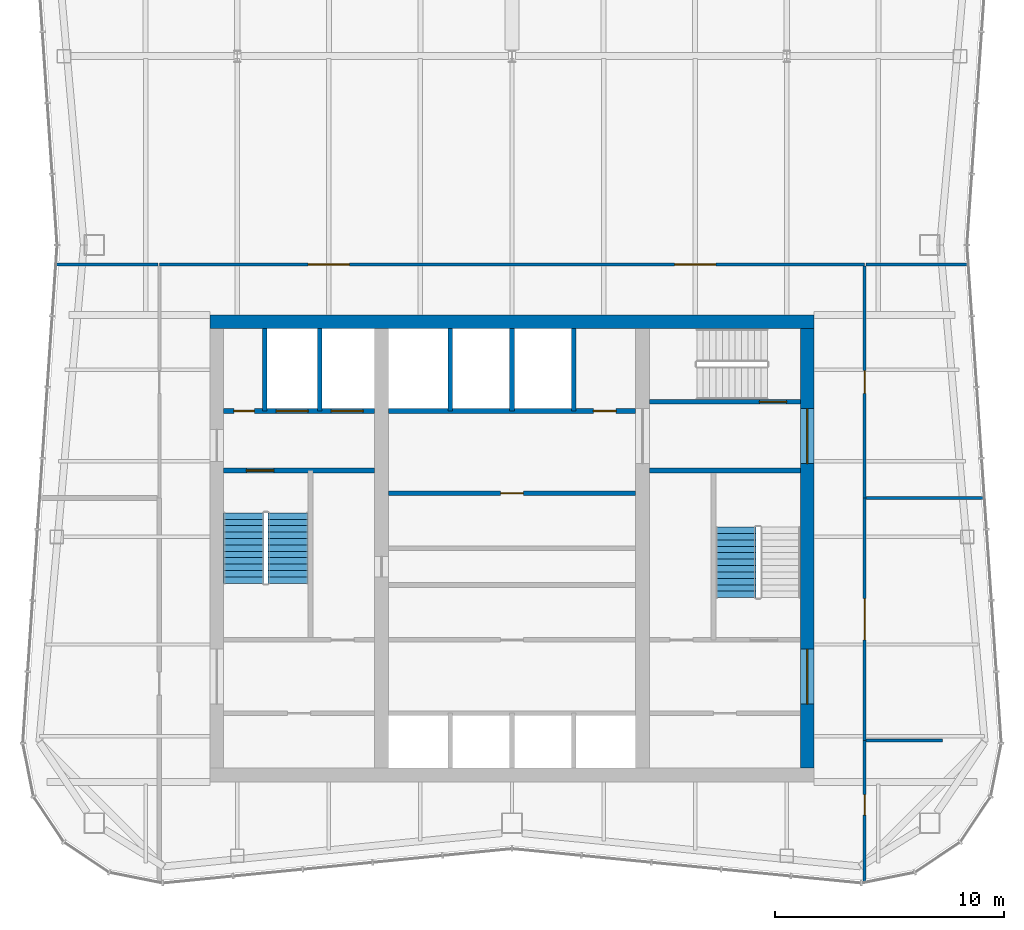
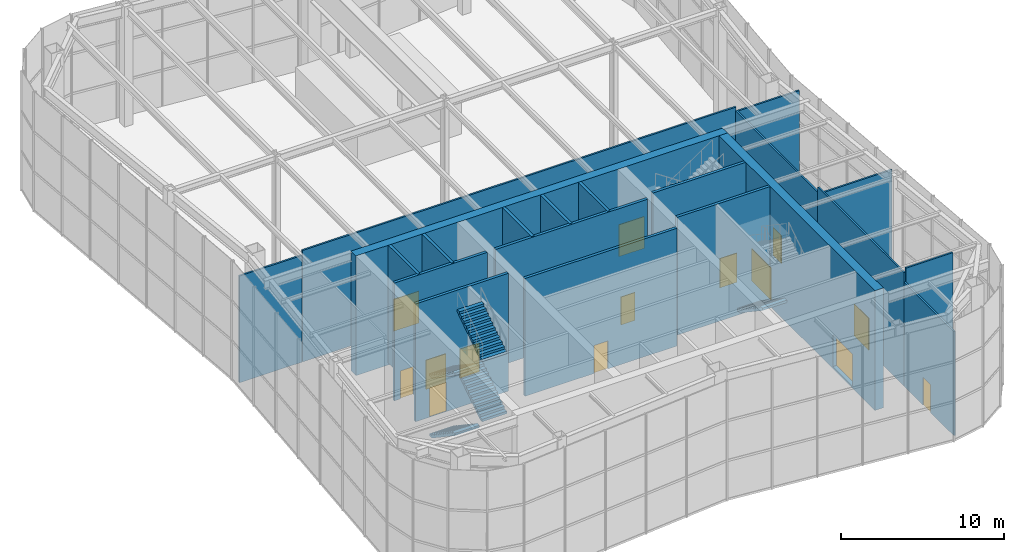
# One storey, part 12 of 16: 21 walls, 14 doors, 5 stair flights, 14 openings, 2 elements without a shape of their own.
"""IFC4 building model written with IfcOpenShell, lengths in metres."""

from ifc_helpers import new_model, si_unit, direction, frame, frame_2d, origin, place, context, subcontext, project, spatial, polyline, rectangle, outline, extrude, material, layer, layer_set, type_object, element, fill, aggregate, save


model = new_model("IFC4")

# Units and contexts
model_context = context("Model", 3, precision=1e-05, world=origin(), true_north=direction((0.0, 1.0)))
body_context = subcontext(model_context, "Body", "Model", "MODEL_VIEW")
ifc_project = project(units=[si_unit("LENGTHUNIT", "METRE"), si_unit("AREAUNIT", "SQUARE_METRE"), si_unit("VOLUMEUNIT", "CUBIC_METRE"), si_unit("PLANEANGLEUNIT", "RADIAN"), si_unit("MASSUNIT", "GRAM", prefix="KILO")], contexts=[model_context])

# Site, building, storey
site_placement = place(None, origin())
site = spatial("IfcSite", under=ifc_project, at=site_placement, CompositionType="ELEMENT")
building_placement = place(site_placement, origin())
building = spatial("IfcBuilding", under=site, at=building_placement, Name="Verdant Reach Tower", CompositionType="ELEMENT")
storey_placement = place(building_placement, frame((0.0, 0.0, 340.5)))
storey = spatial("IfcBuildingStorey", under=building, at=storey_placement, Name="L78 Damper", CompositionType="ELEMENT", Elevation=340.5)

# Wall, opening, door
ifc_material_1 = material(Name="Gypsum board on steel studs", Category="steel")
ifc_layer_1 = layer(ifc_material_1, 0.199951171875)
ifc_layer_set_1 = layer_set([ifc_layer_1], Name="CO-WALL-ROOM")
wall_type_1 = type_object("IfcWallType", Name="CO-WALL-ROOM", PredefinedType="PARTITIONING", material=ifc_layer_set_1)
wall_1_placement = place(storey_placement, frame((-5.39990234375, 30.39990234375, 0.0), z_axis=(0.0, 0.0, 1.0), x_axis=(1.0, 0.0, 0.0)))
wall_1 = element("IfcWall", 1, at=wall_1_placement, inside=storey, type_object=wall_type_1, Name="Core partition, L78 Damper", PredefinedType="PARTITIONING", context=body_context, shape_type="SweptSolid", body=[
    extrude(rectangle(XDim=10.7998046875, YDim=0.199951171875, at=frame_2d((5.39990234375, 0.0))), origin(), (0.0, 0.0, 1.0), 8.85009765625),
])
opening_1_placement = place(wall_1_placement, frame((4.89990234375, 0.0, 0.0)))
opening_1 = element("IfcOpeningElement", 2, at=opening_1_placement, cuts=wall_1, Name="Opening CD", PredefinedType="OPENING", context=body_context, shape_type="SweptSolid", body=[
    extrude(rectangle(XDim=1.0, YDim=2.10009765625, at=frame_2d((0.5, 1.050048828125))), frame((0.0, 0.10986328125, 0.0), z_axis=(0.0, -1.0, 0.0), x_axis=(1.0, 0.0, 0.0)), (0.0, 0.0, 1.0), 0.219970703125),
])
ifc_material_2 = material(Name="Timber", Category="wood")
door_type_1 = type_object("IfcDoorType", Name="CO-DOOR-ROOM", OperationType="NOTDEFINED", PredefinedType="DOOR", material=ifc_material_2)
door_1_placement = place(opening_1_placement, origin())
door_1 = element("IfcDoor", 3, at=door_1_placement, inside=storey, type_object=door_type_1, Name="Core room door, L78 Damper", OperationType="SINGLE_SWING_RIGHT", OverallHeight=2.10009765625, OverallWidth=1.0, PredefinedType="DOOR", context=body_context, shape_type="SweptSolid", body=[
    extrude(rectangle(XDim=1.0, YDim=2.10009765625, at=frame_2d((0.5, 1.050048828125))), frame((0.0, 0.02490234375, 0.0), z_axis=(0.0, -1.0, 0.0), x_axis=(1.0, 0.0, 0.0)), (0.0, 0.0, 1.0), 0.050048828125),
])
fill(opening_1, door_1)

# Wall, openings, doors
ifc_material_3 = material(Name="Concrete C40/50", Category="concrete")
ifc_layer_2 = layer(ifc_material_3, 0.199951171875)
ifc_layer_set_2 = layer_set([ifc_layer_2], Name="CO-WALL-SHAFT")
wall_type_2 = type_object("IfcWallType", Name="CO-WALL-SHAFT", PredefinedType="PARTITIONING", material=ifc_layer_set_2)
wall_2_placement = place(storey_placement, frame((-12.60009765625, 34.0, 0.0), z_axis=(0.0, 0.0, 1.0), x_axis=(1.0, 0.0, 0.0)))
wall_2 = element("IfcWall", 4, at=wall_2_placement, inside=storey, type_object=wall_type_2, Name="Lift shaft wall, L78 Damper", PredefinedType="PARTITIONING", context=body_context, shape_type="SweptSolid", body=[
    extrude(rectangle(XDim=6.60009765625, YDim=0.199951171875, at=frame_2d((3.300048828125, 0.0))), origin(), (0.0, 0.0, 1.0), 8.85009765625),
])
opening_2_placement = place(wall_2_placement, frame((4.699951171875, 0.0, 0.0)))
opening_2 = element("IfcOpeningElement", 5, at=opening_2_placement, cuts=wall_2, Name="Opening LD-F1", PredefinedType="OPENING", context=body_context, shape_type="SweptSolid", body=[
    extrude(rectangle(XDim=1.39990234375, YDim=2.199951171875, at=frame_2d((0.699951171875, 1.10009765625))), frame((0.0, 0.10986328125, 0.0), z_axis=(0.0, -1.0, 0.0), x_axis=(1.0, 0.0, 0.0)), (0.0, 0.0, 1.0), 0.219970703125),
])
opening_3_placement = place(wall_2_placement, frame((2.300048828125, 0.0, 0.0)))
opening_3 = element("IfcOpeningElement", 6, at=opening_3_placement, cuts=wall_2, Name="Opening LD-F2", PredefinedType="OPENING", context=body_context, shape_type="SweptSolid", body=[
    extrude(rectangle(XDim=1.39990234375, YDim=2.199951171875, at=frame_2d((0.699951171875, 1.10009765625))), frame((0.0, 0.10986328125, 0.0), z_axis=(0.0, -1.0, 0.0), x_axis=(1.0, 0.0, 0.0)), (0.0, 0.0, 1.0), 0.219970703125),
])
opening_4_placement = place(wall_2_placement, frame((0.449951171875, 0.0, 0.0)))
opening_4 = element("IfcOpeningElement", 7, at=opening_4_placement, cuts=wall_2, Name="Opening RD", PredefinedType="OPENING", context=body_context, shape_type="SweptSolid", body=[
    extrude(rectangle(XDim=0.89990234375, YDim=2.10009765625, at=frame_2d((0.449951171875, 1.050048828125))), frame((0.0, 0.10986328125, 0.0), z_axis=(0.0, -1.0, 0.0), x_axis=(1.0, 0.0, 0.0)), (0.0, 0.0, 1.0), 0.219970703125),
])
ifc_material_4 = material(Name="Stainless steel", Category="steel")
door_type_2 = type_object("IfcDoorType", Name="CO-DOOR-LANDING-FF", OperationType="SLIDING_TO_LEFT", PredefinedType="DOOR", material=ifc_material_4)
door_2_placement = place(opening_2_placement, origin())
door_2 = element("IfcDoor", 8, at=door_2_placement, inside=storey, type_object=door_type_2, Name="Landing door F1, L78 Damper", OperationType="SLIDING_TO_LEFT", OverallHeight=2.199951171875, OverallWidth=1.39990234375, PredefinedType="DOOR", context=body_context, shape_type="SweptSolid", body=[
    extrude(rectangle(XDim=1.39990234375, YDim=2.199951171875, at=frame_2d((0.699951171875, 1.10009765625))), frame((0.0, 0.02490234375, 0.0), z_axis=(0.0, -1.0, 0.0), x_axis=(1.0, 0.0, 0.0)), (0.0, 0.0, 1.0), 0.050048828125),
])
fill(opening_2, door_2)
door_3_placement = place(opening_3_placement, origin())
door_3 = element("IfcDoor", 9, at=door_3_placement, inside=storey, type_object=door_type_2, Name="Landing door F2, L78 Damper", OperationType="SLIDING_TO_LEFT", OverallHeight=2.199951171875, OverallWidth=1.39990234375, PredefinedType="DOOR", context=body_context, shape_type="SweptSolid", body=[
    extrude(rectangle(XDim=1.39990234375, YDim=2.199951171875, at=frame_2d((0.699951171875, 1.10009765625))), frame((0.0, 0.02490234375, 0.0), z_axis=(0.0, -1.0, 0.0), x_axis=(1.0, 0.0, 0.0)), (0.0, 0.0, 1.0), 0.050048828125),
])
fill(opening_3, door_3)
ifc_material_5 = material(Name="Steel", Category="steel")
door_type_3 = type_object("IfcDoorType", Name="CO-DOOR-RISER", OperationType="NOTDEFINED", PredefinedType="DOOR", material=ifc_material_5)
door_4_placement = place(opening_4_placement, origin())
door_4 = element("IfcDoor", 10, at=door_4_placement, inside=storey, type_object=door_type_3, Name="Core room door, L78 Damper", OperationType="SINGLE_SWING_LEFT", OverallHeight=2.10009765625, OverallWidth=0.89990234375, PredefinedType="DOOR", context=body_context, shape_type="SweptSolid", body=[
    extrude(rectangle(XDim=0.89990234375, YDim=2.10009765625, at=frame_2d((0.449951171875, 1.050048828125))), frame((0.0, 0.02490234375, 0.0), z_axis=(0.0, -1.0, 0.0), x_axis=(1.0, 0.0, 0.0)), (0.0, 0.0, 1.0), 0.050048828125),
])
fill(opening_4, door_4)

# Wall, opening, door
wall_3_placement = place(storey_placement, frame((-5.39990234375, 34.0, 0.0), z_axis=(0.0, 0.0, 1.0), x_axis=(1.0, 0.0, 0.0)))
wall_3 = element("IfcWall", 11, at=wall_3_placement, inside=storey, type_object=wall_type_2, Name="Lift shaft wall, L78 Damper", PredefinedType="PARTITIONING", context=body_context, shape_type="SweptSolid", body=[
    extrude(rectangle(XDim=10.7998046875, YDim=0.199951171875, at=frame_2d((5.39990234375, 0.0))), origin(), (0.0, 0.0, 1.0), 8.85009765625),
])
opening_5_placement = place(wall_3_placement, frame((8.949951171875, 0.0, 0.0)))
opening_5 = element("IfcOpeningElement", 12, at=opening_5_placement, cuts=wall_3, Name="Opening CD", PredefinedType="OPENING", context=body_context, shape_type="SweptSolid", body=[
    extrude(rectangle(XDim=1.0, YDim=2.10009765625, at=frame_2d((0.5, 1.050048828125))), frame((0.0, 0.10986328125, 0.0), z_axis=(0.0, -1.0, 0.0), x_axis=(1.0, 0.0, 0.0)), (0.0, 0.0, 1.0), 0.219970703125),
])
door_5_placement = place(opening_5_placement, origin())
door_5 = element("IfcDoor", 13, at=door_5_placement, inside=storey, type_object=door_type_1, Name="Core room door, L78 Damper", OperationType="SINGLE_SWING_LEFT", OverallHeight=2.10009765625, OverallWidth=1.0, PredefinedType="DOOR", context=body_context, shape_type="SweptSolid", body=[
    extrude(rectangle(XDim=1.0, YDim=2.10009765625, at=frame_2d((0.5, 1.050048828125))), frame((0.0, 0.02490234375, 0.0), z_axis=(0.0, -1.0, 0.0), x_axis=(1.0, 0.0, 0.0)), (0.0, 0.0, 1.0), 0.050048828125),
])
fill(opening_5, door_5)

# Walls
for number, where, z_axis, x_axis, name in (
    (14, (-10.800048828125, 34.0, 0.0), (0.0, 0.0, 1.0), (0.0, 1.0, 0.0), "Lift shaft wall, L78 Damper"),
    (15, (-8.39990234375, 34.0, 0.0), (0.0, 0.0, 1.0), (0.0, 1.0, 0.0), "Lift shaft wall, L78 Damper"),
    (16, (-2.699951171875, 34.0, 0.0), (0.0, 0.0, 1.0), (0.0, 1.0, 0.0), "Lift shaft wall, L78 Damper"),
    (17, (0.0, 34.0, 0.0), (0.0, 0.0, 1.0), (0.0, 1.0, 0.0), "Lift shaft wall, L78 Damper"),
    (18, (2.699951171875, 34.0, 0.0), (0.0, 0.0, 1.0), (0.0, 1.0, 0.0), "Lift shaft wall, L78 Damper"),
):
    element("IfcWall", number, at=place(storey_placement, frame(where, z_axis=z_axis, x_axis=x_axis)), inside=storey, type_object=wall_type_2, Name=name, PredefinedType="PARTITIONING", context=body_context, shape_type="SweptSolid", body=[
        extrude(rectangle(XDim=3.60009765625, YDim=0.199951171875, at=frame_2d((1.800048828125, 0.0))), origin(), (0.0, 0.0, 1.0), 8.85009765625),
    ])

# Wall, opening, door
ifc_layer_3 = layer(ifc_material_3, 0.199951171875)
ifc_layer_set_3 = layer_set([ifc_layer_3], Name="CO-WALL-STAIR")
wall_type_3 = type_object("IfcWallType", Name="CO-WALL-STAIR", PredefinedType="PARTITIONING", material=ifc_layer_set_3)
wall_4_placement = place(storey_placement, frame((-12.60009765625, 31.39990234375, 0.0), z_axis=(0.0, 0.0, 1.0), x_axis=(1.0, 0.0, 0.0)))
wall_4 = element("IfcWall", 19, at=wall_4_placement, inside=storey, type_object=wall_type_3, Name="Stair enclosure wall, L78 Damper", PredefinedType="PARTITIONING", context=body_context, shape_type="SweptSolid", body=[
    extrude(rectangle(XDim=6.60009765625, YDim=0.199951171875, at=frame_2d((3.300048828125, 0.0))), origin(), (0.0, 0.0, 1.0), 8.85009765625),
])
opening_6_placement = place(wall_4_placement, frame((1.0, 0.0, 0.0)))
opening_6 = element("IfcOpeningElement", 20, at=opening_6_placement, cuts=wall_4, Name="Opening SD", PredefinedType="OPENING", context=body_context, shape_type="SweptSolid", body=[
    extrude(rectangle(XDim=1.199951171875, YDim=2.199951171875, at=frame_2d((0.60009765625, 1.10009765625))), frame((0.0, 0.10986328125, 0.0), z_axis=(0.0, -1.0, 0.0), x_axis=(1.0, 0.0, 0.0)), (0.0, 0.0, 1.0), 0.219970703125),
])
door_type_4 = type_object("IfcDoorType", Name="CO-DOOR-STAIR", OperationType="NOTDEFINED", PredefinedType="DOOR", material=ifc_material_5)
door_6_placement = place(opening_6_placement, origin())
door_6 = element("IfcDoor", 21, at=door_6_placement, inside=storey, type_object=door_type_4, Name="Stair door, L78 Damper", OperationType="SINGLE_SWING_LEFT", OverallHeight=2.199951171875, OverallWidth=1.199951171875, PredefinedType="DOOR", context=body_context, shape_type="SweptSolid", body=[
    extrude(rectangle(XDim=1.199951171875, YDim=2.199951171875, at=frame_2d((0.60009765625, 1.10009765625))), frame((0.0, 0.02490234375, 0.0), z_axis=(0.0, -1.0, 0.0), x_axis=(1.0, 0.0, 0.0)), (0.0, 0.0, 1.0), 0.050048828125),
])
fill(opening_6, door_6)

# Wall
wall_5_placement = place(storey_placement, frame((6.0, 31.39990234375, 0.0), z_axis=(0.0, 0.0, 1.0), x_axis=(1.0, 0.0, 0.0)))
element("IfcWall", 22, at=wall_5_placement, inside=storey, type_object=wall_type_3, Name="Stair enclosure wall, L78 Damper", PredefinedType="PARTITIONING", context=body_context, shape_type="SweptSolid", body=[
    extrude(rectangle(XDim=6.60009765625, YDim=0.199951171875, at=frame_2d((3.300048828125, 0.0))), origin(), (0.0, 0.0, 1.0), 8.85009765625),
])

# Wall, opening, door
wall_6_placement = place(storey_placement, frame((6.0, 34.39990234375, 0.0), z_axis=(0.0, 0.0, 1.0), x_axis=(1.0, 0.0, 0.0)))
wall_6 = element("IfcWall", 23, at=wall_6_placement, inside=storey, type_object=wall_type_3, Name="Stair enclosure wall, L78 Damper", PredefinedType="PARTITIONING", context=body_context, shape_type="SweptSolid", body=[
    extrude(rectangle(XDim=6.60009765625, YDim=0.199951171875, at=frame_2d((3.300048828125, 0.0))), origin(), (0.0, 0.0, 1.0), 8.85009765625),
])
opening_7_placement = place(wall_6_placement, frame((4.800048828125, 0.0, 0.0)))
opening_7 = element("IfcOpeningElement", 24, at=opening_7_placement, cuts=wall_6, Name="Opening SD", PredefinedType="OPENING", context=body_context, shape_type="SweptSolid", body=[
    extrude(rectangle(XDim=1.199951171875, YDim=2.199951171875, at=frame_2d((0.60009765625, 1.10009765625))), frame((0.0, 0.10986328125, 0.0), z_axis=(0.0, -1.0, 0.0), x_axis=(1.0, 0.0, 0.0)), (0.0, 0.0, 1.0), 0.219970703125),
])
door_7_placement = place(opening_7_placement, origin())
door_7 = element("IfcDoor", 25, at=door_7_placement, inside=storey, type_object=door_type_4, Name="Stair door, L78 Damper", OperationType="SINGLE_SWING_LEFT", OverallHeight=2.199951171875, OverallWidth=1.199951171875, PredefinedType="DOOR", context=body_context, shape_type="SweptSolid", body=[
    extrude(rectangle(XDim=1.199951171875, YDim=2.199951171875, at=frame_2d((0.60009765625, 1.10009765625))), frame((0.0, 0.02490234375, 0.0), z_axis=(0.0, -1.0, 0.0), x_axis=(1.0, 0.0, 0.0)), (0.0, 0.0, 1.0), 0.050048828125),
])
fill(opening_7, door_7)

# Wall
ifc_material_6 = material(Name="Concrete C70/85", Category="concrete")
ifc_layer_4 = layer(ifc_material_6, 0.60009765625)
ifc_layer_set_4 = layer_set([ifc_layer_4], Name="ST-CORE-WALL-600")
wall_type_4 = type_object("IfcWallType", Name="ST-CORE-WALL-600", PredefinedType="SHEAR", material=ifc_layer_set_4)
wall_7_placement = place(storey_placement, frame((-13.199951171875, 37.89990234375, -0.14990234375), z_axis=(0.0, 0.0, 1.0), x_axis=(1.0, 0.0, 0.0)))
element("IfcWall", 26, at=wall_7_placement, inside=storey, type_object=wall_type_4, Name="Core wall N, L78 Damper", PredefinedType="SHEAR", context=body_context, shape_type="SweptSolid", body=[
    extrude(rectangle(XDim=26.39990234375, YDim=0.60009765625, at=frame_2d((13.199951171875, 0.0))), origin(), (0.0, 0.0, 1.0), 9.0),
])

# Wall, openings, doors
wall_8_placement = place(storey_placement, frame((12.89990234375, 18.39990234375, -0.14990234375), z_axis=(0.0, 0.0, 1.0), x_axis=(0.0, 1.0, 0.0)))
wall_8 = element("IfcWall", 27, at=wall_8_placement, inside=storey, type_object=wall_type_4, Name="Core wall E, L78 Damper", PredefinedType="SHEAR", context=body_context, shape_type="SweptSolid", body=[
    extrude(rectangle(XDim=19.2001953125, YDim=0.60009765625, at=frame_2d((9.60009765625, 0.0))), origin(), (0.0, 0.0, 1.0), 9.0),
])
opening_8_placement = place(wall_8_placement, frame((2.800048828125, 0.0, 0.14990234375)))
opening_8 = element("IfcOpeningElement", 28, at=opening_8_placement, cuts=wall_8, Name="Opening LB", PredefinedType="OPENING", context=body_context, shape_type="SweptSolid", body=[
    extrude(rectangle(XDim=2.39990234375, YDim=2.39990234375, at=frame_2d((1.199951171875, 1.199951171875))), frame((0.0, 0.31005859375, 0.0), z_axis=(0.0, -1.0, 0.0), x_axis=(1.0, 0.0, 0.0)), (0.0, 0.0, 1.0), 0.6201171875),
])
opening_9_placement = place(wall_8_placement, frame((13.300048828125, 0.0, 0.14990234375)))
opening_9 = element("IfcOpeningElement", 29, at=opening_9_placement, cuts=wall_8, Name="Opening LB", PredefinedType="OPENING", context=body_context, shape_type="SweptSolid", body=[
    extrude(rectangle(XDim=2.39990234375, YDim=2.39990234375, at=frame_2d((1.199951171875, 1.199951171875))), frame((0.0, 0.31005859375, 0.0), z_axis=(0.0, -1.0, 0.0), x_axis=(1.0, 0.0, 0.0)), (0.0, 0.0, 1.0), 0.6201171875),
])
ifc_material_7 = material(Name="Glass and steel", Category="steel")
door_type_5 = type_object("IfcDoorType", Name="CO-DOOR-LOBBY", OperationType="DOUBLE_DOOR_SINGLE_SWING", PredefinedType="DOOR", material=ifc_material_7)
door_8_placement = place(opening_8_placement, origin())
door_8 = element("IfcDoor", 30, at=door_8_placement, inside=storey, type_object=door_type_5, Name="Core entrance door, L78 Damper", OperationType="DOUBLE_DOOR_SINGLE_SWING", OverallHeight=2.39990234375, OverallWidth=2.39990234375, PredefinedType="DOOR", context=body_context, shape_type="SweptSolid", body=[
    extrude(rectangle(XDim=2.39990234375, YDim=2.39990234375, at=frame_2d((1.199951171875, 1.199951171875))), frame((0.0, 0.02490234375, 0.0), z_axis=(0.0, -1.0, 0.0), x_axis=(1.0, 0.0, 0.0)), (0.0, 0.0, 1.0), 0.050048828125),
])
fill(opening_8, door_8)
door_9_placement = place(opening_9_placement, origin())
door_9 = element("IfcDoor", 31, at=door_9_placement, inside=storey, type_object=door_type_5, Name="Core entrance door, L78 Damper", OperationType="DOUBLE_DOOR_SINGLE_SWING", OverallHeight=2.39990234375, OverallWidth=2.39990234375, PredefinedType="DOOR", context=body_context, shape_type="SweptSolid", body=[
    extrude(rectangle(XDim=2.39990234375, YDim=2.39990234375, at=frame_2d((1.199951171875, 1.199951171875))), frame((0.0, 0.02490234375, 0.0), z_axis=(0.0, -1.0, 0.0), x_axis=(1.0, 0.0, 0.0)), (0.0, 0.0, 1.0), 0.050048828125),
])
fill(opening_9, door_9)

ifc_material_8 = material(Name="Gypsum board on steel studs, fire rated", Category="steel")
ifc_layer_5 = layer(ifc_material_8, 0.125)
ifc_layer_set_5 = layer_set([ifc_layer_5], Name="SV-W2 Plant wall 125 EI 60")
wall_type_5 = type_object("IfcWallType", Name="SV-W2 Plant wall 125 EI 60", PredefinedType="PARTITIONING", material=ifc_layer_set_5)
wall_9_placement = place(storey_placement, frame((15.39990234375, 40.39990234375, 0.0), z_axis=(0.0, 0.0, 1.0), x_axis=(-1.0, 0.0, 0.0)))
wall_9 = element("IfcWall", 32, at=wall_9_placement, inside=storey, type_object=wall_type_5, Name="Partition L78.01", PredefinedType="PARTITIONING", context=body_context, shape_type="SweptSolid", body=[
    extrude(rectangle(XDim=30.7998046875, YDim=0.125, at=frame_2d((15.39990234375, 0.0))), origin(), (0.0, 0.0, 1.0), 8.3701171875),
])
opening_10_placement = place(wall_9_placement, frame((22.5, 0.0, 0.0)))
opening_10 = element("IfcOpeningElement", 33, at=opening_10_placement, cuts=wall_9, Name="Opening SD3", PredefinedType="OPENING", context=body_context, shape_type="SweptSolid", body=[
    extrude(rectangle(XDim=1.800048828125, YDim=2.39990234375, at=frame_2d((0.89990234375, 1.199951171875))), frame((0.0, 0.072509765625, 0.0), z_axis=(0.0, -1.0, 0.0), x_axis=(1.0, 0.0, 0.0)), (0.0, 0.0, 1.0), 0.14501953125),
])
opening_11_placement = place(wall_9_placement, frame((6.5, 0.0, 0.0)))
opening_11 = element("IfcOpeningElement", 34, at=opening_11_placement, cuts=wall_9, Name="Opening SD3", PredefinedType="OPENING", context=body_context, shape_type="SweptSolid", body=[
    extrude(rectangle(XDim=1.800048828125, YDim=2.39990234375, at=frame_2d((0.89990234375, 1.199951171875))), frame((0.0, 0.072509765625, 0.0), z_axis=(0.0, -1.0, 0.0), x_axis=(1.0, 0.0, 0.0)), (0.0, 0.0, 1.0), 0.14501953125),
])
ifc_material_9 = material(Name="Steel door leaves, fire rated", Category="steel")
door_type_6 = type_object("IfcDoorType", Name="SV-D3 Equipment door 1800x2400 FD60", OperationType="DOUBLE_DOOR_SINGLE_SWING", PredefinedType="DOOR", material=ifc_material_9)
door_10_placement = place(opening_10_placement, origin())
door_10 = element("IfcDoor", 35, at=door_10_placement, inside=storey, type_object=door_type_6, Name="Door L78-006", OperationType="DOUBLE_DOOR_SINGLE_SWING", OverallHeight=2.39990234375, OverallWidth=1.800048828125, PredefinedType="DOOR", context=body_context, shape_type="SweptSolid", body=[
    extrude(rectangle(XDim=1.800048828125, YDim=2.39990234375, at=frame_2d((0.89990234375, 1.199951171875))), frame((0.0, 0.02490234375, 0.0), z_axis=(0.0, -1.0, 0.0), x_axis=(1.0, 0.0, 0.0)), (0.0, 0.0, 1.0), 0.050048828125),
])
fill(opening_10, door_10)
door_11_placement = place(opening_11_placement, origin())
door_11 = element("IfcDoor", 36, at=door_11_placement, inside=storey, type_object=door_type_6, Name="Door L78-007", OperationType="DOUBLE_DOOR_SINGLE_SWING", OverallHeight=2.39990234375, OverallWidth=1.800048828125, PredefinedType="DOOR", context=body_context, shape_type="SweptSolid", body=[
    extrude(rectangle(XDim=1.800048828125, YDim=2.39990234375, at=frame_2d((0.89990234375, 1.199951171875))), frame((0.0, 0.02490234375, 0.0), z_axis=(0.0, -1.0, 0.0), x_axis=(1.0, 0.0, 0.0)), (0.0, 0.0, 1.0), 0.050048828125),
])
fill(opening_11, door_11)

# Wall, opening, door
wall_10_placement = place(storey_placement, frame((15.39990234375, 13.44970703125, 0.0), z_axis=(0.0, 0.0, 1.0), x_axis=(0.0, 1.0, 0.0)))
wall_10 = element("IfcWall", 37, at=wall_10_placement, inside=storey, type_object=wall_type_5, Name="Partition L78.04", PredefinedType="PARTITIONING", context=body_context, shape_type="SweptSolid", body=[
    extrude(rectangle(XDim=6.150390625, YDim=0.125, at=frame_2d((3.0751953125, 0.0))), origin(), (0.0, 0.0, 1.0), 7.81201171875),
])
opening_12_placement = place(wall_10_placement, frame((2.894775390625, 0.0, 0.0)))
opening_12 = element("IfcOpeningElement", 38, at=opening_12_placement, cuts=wall_10, Name="Opening SD1", PredefinedType="OPENING", context=body_context, shape_type="SweptSolid", body=[
    extrude(rectangle(XDim=0.89990234375, YDim=2.10009765625, at=frame_2d((0.449951171875, 1.050048828125))), frame((0.0, 0.072509765625, 0.0), z_axis=(0.0, -1.0, 0.0), x_axis=(1.0, 0.0, 0.0)), (0.0, 0.0, 1.0), 0.14501953125),
])
ifc_material_10 = material(Name="Painted timber door leaf", Category="wood")
door_type_7 = type_object("IfcDoorType", Name="SV-D1 Door 900x2100", OperationType="NOTDEFINED", PredefinedType="DOOR", material=ifc_material_10)
door_12_placement = place(opening_12_placement, origin())
door_12 = element("IfcDoor", 39, at=door_12_placement, inside=storey, type_object=door_type_7, Name="Door L78-003", OperationType="SINGLE_SWING_RIGHT", OverallHeight=2.10009765625, OverallWidth=0.89990234375, PredefinedType="DOOR", context=body_context, shape_type="SweptSolid", body=[
    extrude(rectangle(XDim=0.89990234375, YDim=2.10009765625, at=frame_2d((0.449951171875, 1.050048828125))), frame((0.0, 0.02490234375, 0.0), z_axis=(0.0, -1.0, 0.0), x_axis=(1.0, 0.0, 0.0)), (0.0, 0.0, 1.0), 0.050048828125),
])
fill(opening_12, door_12)

wall_11_placement = place(storey_placement, frame((15.39990234375, 19.60009765625, 0.0), z_axis=(0.0, 0.0, 1.0), x_axis=(0.0, 1.0, 0.0)))
wall_11 = element("IfcWall", 40, at=wall_11_placement, inside=storey, type_object=wall_type_5, Name="Partition L78.05", PredefinedType="PARTITIONING", context=body_context, shape_type="SweptSolid", body=[
    extrude(rectangle(XDim=10.599853515625, YDim=0.125, at=frame_2d((5.2998046875, 0.0))), origin(), (0.0, 0.0, 1.0), 8.52001953125),
])
opening_13_placement = place(wall_11_placement, frame((4.39990234375, 0.0, 0.0)))
opening_13 = element("IfcOpeningElement", 41, at=opening_13_placement, cuts=wall_11, Name="Opening SD3", PredefinedType="OPENING", context=body_context, shape_type="SweptSolid", body=[
    extrude(rectangle(XDim=1.800048828125, YDim=2.39990234375, at=frame_2d((0.89990234375, 1.199951171875))), frame((0.0, 0.072509765625, 0.0), z_axis=(0.0, -1.0, 0.0), x_axis=(1.0, 0.0, 0.0)), (0.0, 0.0, 1.0), 0.14501953125),
])
door_13_placement = place(opening_13_placement, origin())
door_13 = element("IfcDoor", 42, at=door_13_placement, inside=storey, type_object=door_type_6, Name="Door L78-004", OperationType="DOUBLE_DOOR_SINGLE_SWING", OverallHeight=2.39990234375, OverallWidth=1.800048828125, PredefinedType="DOOR", context=body_context, shape_type="SweptSolid", body=[
    extrude(rectangle(XDim=1.800048828125, YDim=2.39990234375, at=frame_2d((0.89990234375, 1.199951171875))), frame((0.0, 0.02490234375, 0.0), z_axis=(0.0, -1.0, 0.0), x_axis=(1.0, 0.0, 0.0)), (0.0, 0.0, 1.0), 0.050048828125),
])
fill(opening_13, door_13)

wall_12_placement = place(storey_placement, frame((15.39990234375, 30.199951171875, 0.0), z_axis=(0.0, 0.0, 1.0), x_axis=(0.0, 1.0, 0.0)))
wall_12 = element("IfcWall", 43, at=wall_12_placement, inside=storey, type_object=wall_type_5, Name="Partition L78.06", PredefinedType="PARTITIONING", context=body_context, shape_type="SweptSolid", body=[
    extrude(rectangle(XDim=10.137451171875, YDim=0.125, at=frame_2d((5.06884765625, 0.0))), origin(), (0.0, 0.0, 1.0), 8.1201171875),
])
opening_14_placement = place(wall_12_placement, frame((4.568603515625, 0.0, 0.0)))
opening_14 = element("IfcOpeningElement", 44, at=opening_14_placement, cuts=wall_12, Name="Opening SD2", PredefinedType="OPENING", context=body_context, shape_type="SweptSolid", body=[
    extrude(rectangle(XDim=1.0, YDim=2.10009765625, at=frame_2d((0.5, 1.050048828125))), frame((0.0, 0.072509765625, 0.0), z_axis=(0.0, -1.0, 0.0), x_axis=(1.0, 0.0, 0.0)), (0.0, 0.0, 1.0), 0.14501953125),
])
ifc_material_11 = material(Name="Steel door leaf, fire rated", Category="steel")
door_type_8 = type_object("IfcDoorType", Name="SV-D2 Door 1000x2100 FD60", OperationType="NOTDEFINED", PredefinedType="DOOR", material=ifc_material_11)
door_14_placement = place(opening_14_placement, origin())
door_14 = element("IfcDoor", 45, at=door_14_placement, inside=storey, type_object=door_type_8, Name="Door L78-005", OperationType="SINGLE_SWING_LEFT", OverallHeight=2.10009765625, OverallWidth=1.0, PredefinedType="DOOR", context=body_context, shape_type="SweptSolid", body=[
    extrude(rectangle(XDim=1.0, YDim=2.10009765625, at=frame_2d((0.5, 1.050048828125))), frame((0.0, 0.02490234375, 0.0), z_axis=(0.0, -1.0, 0.0), x_axis=(1.0, 0.0, 0.0)), (0.0, 0.0, 1.0), 0.050048828125),
])
fill(opening_14, door_14)

# Walls
for number, where, z_axis, x_axis, name in (
    (46, (-15.46240234375, 40.39990234375, 0.0), (0.0, 0.0, 1.0), (-1.0, 0.0, 0.0), "Partition L78.07"),
    (47, (19.888671875, 40.39990234375, 0.0), (0.0, 0.0, 1.0), (-1.0, 0.0, 0.0), "Partition L78.08"),
):
    element("IfcWall", number, at=place(storey_placement, frame(where, z_axis=z_axis, x_axis=x_axis)), inside=storey, type_object=wall_type_5, Name=name, PredefinedType="PARTITIONING", context=body_context, shape_type="SweptSolid", body=[
        extrude(rectangle(XDim=4.42626953125, YDim=0.125, at=frame_2d((2.213134765625, 0.0))), origin(), (0.0, 0.0, 1.0), 8.02001953125),
    ])
wall_13_placement = place(storey_placement, frame((15.46240234375, 19.60009765625, 0.0), z_axis=(0.0, 0.0, 1.0), x_axis=(1.0, 0.0, 0.0)))
element("IfcWall", 48, at=wall_13_placement, inside=storey, type_object=wall_type_5, Name="Partition L78.10", PredefinedType="PARTITIONING", context=body_context, shape_type="SweptSolid", body=[
    extrude(rectangle(XDim=3.337646484375, YDim=0.125, at=frame_2d((1.6689453125, 0.0))), origin(), (0.0, 0.0, 1.0), 8.85009765625),
])
wall_14_placement = place(storey_placement, frame((15.46240234375, 30.199951171875, 0.0), z_axis=(0.0, 0.0, 1.0), x_axis=(1.0, 0.0, 0.0)))
element("IfcWall", 49, at=wall_14_placement, inside=storey, type_object=wall_type_5, Name="Partition L78.11", PredefinedType="PARTITIONING", context=body_context, shape_type="SweptSolid", body=[
    extrude(rectangle(XDim=5.129638671875, YDim=0.125, at=frame_2d((2.56494140625, 0.0))), origin(), (0.0, 0.0, 1.0), 8.02001953125),
])

# Stair, stair flights
stair_type = type_object("IfcStairType", Name="CO-STAIR", PredefinedType="HALF_TURN_STAIR", material=ifc_material_3)
stair_1_placement = place(storey_placement, origin())
stair_1 = element("IfcStair", 50, at=stair_1_placement, inside=storey, type_object=stair_type, Name="L78 Damper Exit stair 1", PredefinedType="HALF_TURN_STAIR")
stair_flight_type = type_object("IfcStairFlightType", Name="CO-STAIR-FLIGHT", PredefinedType="STRAIGHT", material=ifc_material_3)
stair_flight_1_placement = place(storey_placement, frame((-11.72509765625, 29.550048828125, 0.0), z_axis=(0.0, 0.0, 1.0), x_axis=(0.0, -1.0, 0.0)))
stair_flight_1 = element("IfcStairFlight", 51, at=stair_flight_1_placement, type_object=stair_flight_type, Name="ST-1 flight 1", NumberOfRisers=12, NumberOfTreads=11, PredefinedType="STRAIGHT", RiserHeight=0.1875, TreadLength=0.28, context=body_context, shape_type="SweptSolid", body=[
    extrude(outline(polyline([(0.0, 0.0), (0.0, 0.1875), (0.280029296875, 0.1875), (0.280029296875, 0.375), (0.56005859375, 0.375), (0.56005859375, 0.5625), (0.840087890625, 0.5625), (0.840087890625, 0.75), (1.1201171875, 0.75), (1.1201171875, 0.9375), (1.39990234375, 0.9375), (1.39990234375, 1.125), (1.679931640625, 1.125), (1.679931640625, 1.3125), (1.9599609375, 1.3125), (1.9599609375, 1.5), (2.239990234375, 1.5), (2.239990234375, 1.6875), (2.52001953125, 1.6875), (2.52001953125, 1.875), (2.800048828125, 1.875), (2.800048828125, 2.0625), (3.080078125, 2.0625), (3.080078125, 2.25), (3.080078125, 1.882080078125), (0.26953125, 0.0), (0.0, 0.0)])), frame((0.0, 0.875, 0.0), z_axis=(0.0, -1.0, 0.0), x_axis=(1.0, 0.0, 0.0)), (0.0, 0.0, 1.0), 1.75),
])
stair_flight_2_placement = place(storey_placement, frame((-9.77490234375, 26.469970703125, 2.25), z_axis=(0.0, 0.0, 1.0), x_axis=(0.0, 1.0, 0.0)))
stair_flight_2 = element("IfcStairFlight", 52, at=stair_flight_2_placement, type_object=stair_flight_type, Name="ST-1 flight 2", NumberOfRisers=12, NumberOfTreads=11, PredefinedType="STRAIGHT", RiserHeight=0.1875, TreadLength=0.28, context=body_context, shape_type="SweptSolid", body=[
    extrude(outline(polyline([(0.0, 0.0), (0.0, 0.1875), (0.280029296875, 0.1875), (0.280029296875, 0.375), (0.56005859375, 0.375), (0.56005859375, 0.5625), (0.840087890625, 0.5625), (0.840087890625, 0.75), (1.1201171875, 0.75), (1.1201171875, 0.9375), (1.39990234375, 0.9375), (1.39990234375, 1.125), (1.679931640625, 1.125), (1.679931640625, 1.3125), (1.9599609375, 1.3125), (1.9599609375, 1.5), (2.239990234375, 1.5), (2.239990234375, 1.6875), (2.52001953125, 1.6875), (2.52001953125, 1.875), (2.800048828125, 1.875), (2.800048828125, 2.0625), (3.080078125, 2.0625), (3.080078125, 2.25), (3.080078125, 1.882080078125), (0.26953125, 0.0), (0.0, 0.0)])), frame((0.0, 0.875, 0.0), z_axis=(0.0, -1.0, 0.0), x_axis=(1.0, 0.0, 0.0)), (0.0, 0.0, 1.0), 1.75),
])
stair_flight_3_placement = place(storey_placement, frame((-11.72509765625, 29.550048828125, 4.5), z_axis=(0.0, 0.0, 1.0), x_axis=(0.0, -1.0, 0.0)))
stair_flight_3 = element("IfcStairFlight", 53, at=stair_flight_3_placement, type_object=stair_flight_type, Name="ST-1 flight 3", NumberOfRisers=12, NumberOfTreads=11, PredefinedType="STRAIGHT", RiserHeight=0.1875, TreadLength=0.28, context=body_context, shape_type="SweptSolid", body=[
    extrude(outline(polyline([(0.0, 0.0), (0.0, 0.1875), (0.280029296875, 0.1875), (0.280029296875, 0.375), (0.56005859375, 0.375), (0.56005859375, 0.5625), (0.840087890625, 0.5625), (0.840087890625, 0.75), (1.1201171875, 0.75), (1.1201171875, 0.9375), (1.39990234375, 0.9375), (1.39990234375, 1.125), (1.679931640625, 1.125), (1.679931640625, 1.3125), (1.9599609375, 1.3125), (1.9599609375, 1.5), (2.239990234375, 1.5), (2.239990234375, 1.6875), (2.52001953125, 1.6875), (2.52001953125, 1.875), (2.800048828125, 1.875), (2.800048828125, 2.0625), (3.080078125, 2.0625), (3.080078125, 2.25), (3.080078125, 1.882080078125), (0.26953125, 0.0), (0.0, 0.0)])), frame((0.0, 0.875, 0.0), z_axis=(0.0, -1.0, 0.0), x_axis=(1.0, 0.0, 0.0)), (0.0, 0.0, 1.0), 1.75),
])
stair_flight_4_placement = place(storey_placement, frame((-9.77490234375, 26.469970703125, 6.75), z_axis=(0.0, 0.0, 1.0), x_axis=(0.0, 1.0, 0.0)))
stair_flight_4 = element("IfcStairFlight", 54, at=stair_flight_4_placement, type_object=stair_flight_type, Name="ST-1 flight 4", NumberOfRisers=12, NumberOfTreads=11, PredefinedType="STRAIGHT", RiserHeight=0.1875, TreadLength=0.28, context=body_context, shape_type="SweptSolid", body=[
    extrude(outline(polyline([(0.0, 0.0), (0.0, 0.1875), (0.280029296875, 0.1875), (0.280029296875, 0.375), (0.56005859375, 0.375), (0.56005859375, 0.5625), (0.840087890625, 0.5625), (0.840087890625, 0.75), (1.1201171875, 0.75), (1.1201171875, 0.9375), (1.39990234375, 0.9375), (1.39990234375, 1.125), (1.679931640625, 1.125), (1.679931640625, 1.3125), (1.9599609375, 1.3125), (1.9599609375, 1.5), (2.239990234375, 1.5), (2.239990234375, 1.6875), (2.52001953125, 1.6875), (2.52001953125, 1.875), (2.800048828125, 1.875), (2.800048828125, 2.0625), (3.080078125, 2.0625), (3.080078125, 2.25), (3.080078125, 1.882080078125), (0.26953125, 0.0), (0.0, 0.0)])), frame((0.0, 0.875, 0.0), z_axis=(0.0, -1.0, 0.0), x_axis=(1.0, 0.0, 0.0)), (0.0, 0.0, 1.0), 1.75),
])
aggregate(stair_1, [stair_flight_1, stair_flight_2, stair_flight_3, stair_flight_4])

# Stair, stair flight
stair_2_placement = place(storey_placement, origin())
stair_2 = element("IfcStair", 55, at=stair_2_placement, inside=storey, type_object=stair_type, Name="L78 Damper Exit stair 2", PredefinedType="HALF_TURN_STAIR")
stair_flight_5_placement = place(storey_placement, frame((9.77490234375, 28.929931640625, 2.25), z_axis=(0.0, 0.0, 1.0), x_axis=(0.0, -1.0, 0.0)))
stair_flight_5 = element("IfcStairFlight", 56, at=stair_flight_5_placement, type_object=stair_flight_type, Name="ST-2 flight 2", NumberOfRisers=12, NumberOfTreads=11, PredefinedType="STRAIGHT", RiserHeight=0.1875, TreadLength=0.28, context=body_context, shape_type="SweptSolid", body=[
    extrude(outline(polyline([(0.0, 0.0), (0.0, 0.1875), (0.280029296875, 0.1875), (0.280029296875, 0.375), (0.56005859375, 0.375), (0.56005859375, 0.5625), (0.840087890625, 0.5625), (0.840087890625, 0.75), (1.1201171875, 0.75), (1.1201171875, 0.9375), (1.39990234375, 0.9375), (1.39990234375, 1.125), (1.679931640625, 1.125), (1.679931640625, 1.3125), (1.9599609375, 1.3125), (1.9599609375, 1.5), (2.239990234375, 1.5), (2.239990234375, 1.6875), (2.52001953125, 1.6875), (2.52001953125, 1.875), (2.800048828125, 1.875), (2.800048828125, 2.0625), (3.080078125, 2.0625), (3.080078125, 2.25), (3.080078125, 1.882080078125), (0.26953125, 0.0), (0.0, 0.0)])), frame((0.0, 0.875, 0.0), z_axis=(0.0, -1.0, 0.0), x_axis=(1.0, 0.0, 0.0)), (0.0, 0.0, 1.0), 1.75),
])
aggregate(stair_2, [stair_flight_5])

save(model, "model.ifc")
